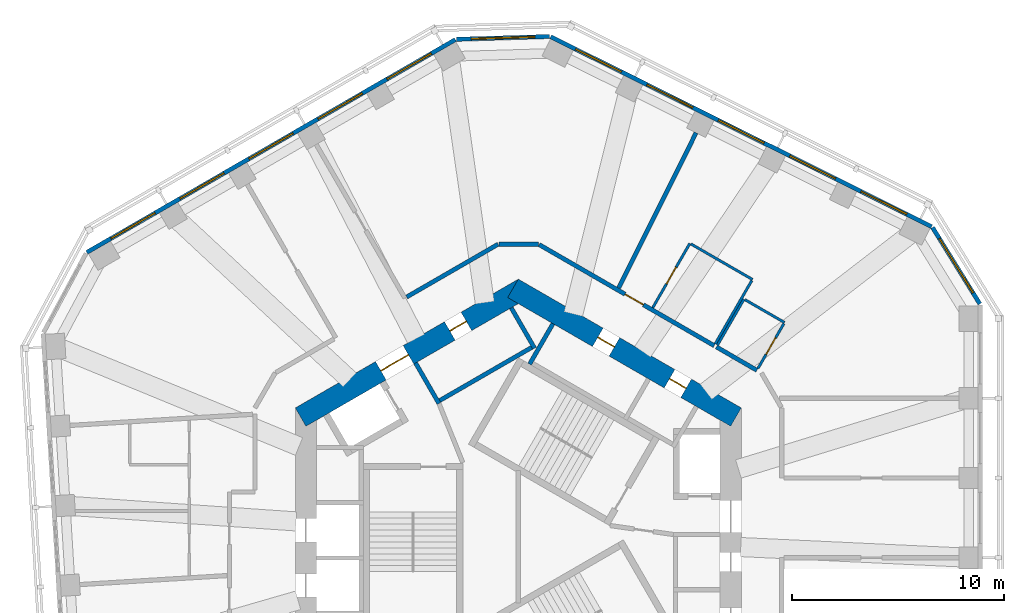
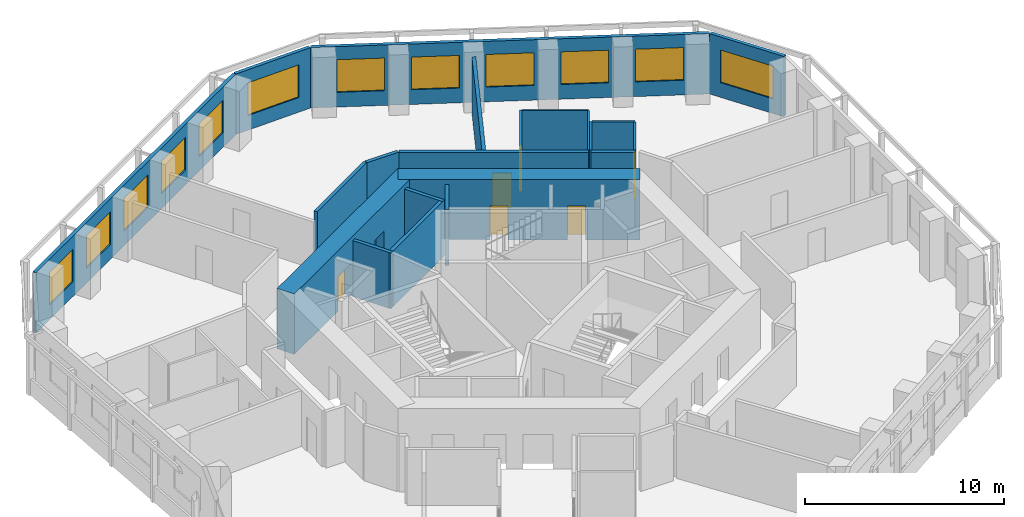
# One storey, part 7 of 10: 21 walls, 12 windows, 7 doors, 19 openings.
"""IFC4 building model written with IfcOpenShell, lengths in metres."""

from ifc_helpers import new_model, si_unit, direction, frame, frame_2d, origin, place, context, subcontext, project, spatial, rectangle, extrude, material, layer, layer_set, type_object, element, fill, save


model = new_model("IFC4")

# Units and contexts
model_context = context("Model", 3, precision=1e-05, world=origin(), true_north=direction((0.0, 1.0)))
body_context = subcontext(model_context, "Body", "Model", "MODEL_VIEW")
ifc_project = project(units=[si_unit("LENGTHUNIT", "METRE"), si_unit("AREAUNIT", "SQUARE_METRE"), si_unit("VOLUMEUNIT", "CUBIC_METRE"), si_unit("PLANEANGLEUNIT", "RADIAN"), si_unit("MASSUNIT", "GRAM", prefix="KILO")], contexts=[model_context])

# Site, building, storey
site_placement = place(None, origin())
site = spatial("IfcSite", under=ifc_project, at=site_placement, CompositionType="ELEMENT")
building_placement = place(site_placement, origin())
building = spatial("IfcBuilding", under=site, at=building_placement, Name="Vanh Sen Convention Tower", CompositionType="ELEMENT")
storey_placement = place(building_placement, frame((0.0, 0.0, 161.39990234375)))
storey = spatial("IfcBuildingStorey", under=building, at=storey_placement, Name="L39", CompositionType="ELEMENT", Elevation=161.39990234375)

# Wall, opening, door
ifc_material_1 = material(Name="Moisture-resistant gypsum board on steel studs", Category="steel")
ifc_layer_1 = layer(ifc_material_1, 0.1201171875)
ifc_layer_set_1 = layer_set([ifc_layer_1], Name="Moisture-resistant gypsum board on steel studs")
wall_type_1 = type_object("IfcWallType", Name="Bathroom partition 120", PredefinedType="PARTITIONING", material=ifc_layer_set_1)
wall_1_placement = place(storey_placement, frame((6.329833984375, 10.779296875, 0.0), z_axis=(0.0, 0.0, 1.0), x_axis=(0.500010275428, 0.866019471182, 0.0)))
wall_1 = element("IfcWall", 1, at=wall_1_placement, inside=storey, type_object=wall_type_1, Name="Bathroom partition 120", PredefinedType="PARTITIONING", context=body_context, shape_type="SweptSolid", body=[
    extrude(rectangle(XDim=3.5, YDim=0.1201171875, at=frame_2d((1.75, 0.0))), origin(), (0.0, 0.0, 1.0), 3.420166015625),
])
opening_1_placement = place(wall_1_placement, frame((1.300048828125, 0.0, 0.0)))
opening_1 = element("IfcOpeningElement", 2, at=opening_1_placement, cuts=wall_1, Name="Opening D38104", PredefinedType="OPENING", context=body_context, shape_type="SweptSolid", body=[
    extrude(rectangle(XDim=0.89990234375, YDim=2.10009765625, at=frame_2d((0.449951171875, 1.050048828125))), frame((0.0, 0.070068359375, 0.0), z_axis=(0.0, -1.0, 0.0), x_axis=(1.0, 0.0, 0.0)), (0.0, 0.0, 1.0), 0.14013671875),
])
ifc_material_2 = material(Name="Laminate door in steel frame", Category="steel")
door_type_1 = type_object("IfcDoorType", Name="Room internal door 900", OperationType="SINGLE_SWING_LEFT", PredefinedType="DOOR", material=ifc_material_2)
door_1_placement = place(opening_1_placement, origin())
door_1 = element("IfcDoor", 3, at=door_1_placement, inside=storey, type_object=door_type_1, Name="Internal room door D38104", OperationType="SINGLE_SWING_LEFT", OverallHeight=2.10009765625, OverallWidth=0.89990234375, PredefinedType="DOOR", context=body_context, shape_type="SweptSolid", body=[
    extrude(rectangle(XDim=0.89990234375, YDim=2.10009765625, at=frame_2d((0.449951171875, 1.050048828125))), frame((0.0, 0.02490234375, 0.0), z_axis=(0.0, -1.0, 0.0), x_axis=(1.0, 0.0, 0.0)), (0.0, 0.0, 1.0), 0.050048828125),
])
fill(opening_1, door_1)

# Walls
wall_2_placement = place(storey_placement, frame((8.1318359375, 13.7802734375, 0.0), z_axis=(0.0, 0.0, 1.0), x_axis=(0.866039519639, -0.499975549825, 0.0)))
element("IfcWall", 4, at=wall_2_placement, inside=storey, type_object=wall_type_1, Name="Bathroom partition 120", PredefinedType="PARTITIONING", context=body_context, shape_type="SweptSolid", body=[
    extrude(rectangle(XDim=3.340087890625, YDim=0.1201171875, at=frame_2d((1.669921875, 0.0))), origin(), (0.0, 0.0, 1.0), 3.420166015625),
])
wall_3_placement = place(storey_placement, frame((9.378173828125, 9.019287109375, 0.0), z_axis=(0.0, 0.0, 1.0), x_axis=(0.500004234368, 0.866022959057, 0.0)))
element("IfcWall", 5, at=wall_3_placement, inside=storey, type_object=wall_type_1, Name="Bathroom partition 120", PredefinedType="PARTITIONING", context=body_context, shape_type="SweptSolid", body=[
    extrude(rectangle(XDim=2.5, YDim=0.1201171875, at=frame_2d((1.25, 0.0))), origin(), (0.0, 0.0, 1.0), 3.420166015625),
])
wall_4_placement = place(storey_placement, frame((10.68017578125, 11.154296875, 0.0), z_axis=(0.0, 0.0, 1.0), x_axis=(0.86600889856, -0.500028586798, 0.0)))
element("IfcWall", 6, at=wall_4_placement, inside=storey, type_object=wall_type_1, Name="Bathroom partition 120", PredefinedType="PARTITIONING", context=body_context, shape_type="SweptSolid", body=[
    extrude(rectangle(XDim=2.139892578125, YDim=0.1201171875, at=frame_2d((1.06982421875, 0.0))), origin(), (0.0, 0.0, 1.0), 3.420166015625),
])
wall_5_placement = place(storey_placement, frame((10.994384765625, 12.058349609375, 0.0), z_axis=(0.0, 0.0, 1.0), x_axis=(-0.500009156386, -0.866020117278, 0.0)))
element("IfcWall", 7, at=wall_5_placement, inside=storey, type_object=wall_type_1, Name="Bathroom partition 120", PredefinedType="PARTITIONING", context=body_context, shape_type="SweptSolid", body=[
    extrude(rectangle(XDim=3.43994140625, YDim=0.1201171875, at=frame_2d((1.719970703125, 0.0))), origin(), (0.0, 0.0, 1.0), 3.420166015625),
])

# Wall, opening, door
wall_6_placement = place(storey_placement, frame((12.50341796875, 10.0322265625, 0.0), z_axis=(0.0, 0.0, 1.0), x_axis=(-0.500002508028, -0.866023955769, 0.0)))
wall_6 = element("IfcWall", 8, at=wall_6_placement, inside=storey, type_object=wall_type_1, Name="Bathroom partition 120", PredefinedType="PARTITIONING", context=body_context, shape_type="SweptSolid", body=[
    extrude(rectangle(XDim=2.43994140625, YDim=0.1201171875, at=frame_2d((1.219970703125, 0.0))), origin(), (0.0, 0.0, 1.0), 3.420166015625),
])
opening_2_placement = place(wall_6_placement, frame((0.77001953125, 0.0, 0.0)))
opening_2 = element("IfcOpeningElement", 9, at=opening_2_placement, cuts=wall_6, Name="Opening D38103", PredefinedType="OPENING", context=body_context, shape_type="SweptSolid", body=[
    extrude(rectangle(XDim=0.89990234375, YDim=2.10009765625, at=frame_2d((0.449951171875, 1.050048828125))), frame((0.0, 0.070068359375, 0.0), z_axis=(0.0, -1.0, 0.0), x_axis=(1.0, 0.0, 0.0)), (0.0, 0.0, 1.0), 0.14013671875),
])
door_2_placement = place(opening_2_placement, origin())
door_2 = element("IfcDoor", 10, at=door_2_placement, inside=storey, type_object=door_type_1, Name="Internal room door D38103", OperationType="SINGLE_SWING_LEFT", OverallHeight=2.10009765625, OverallWidth=0.89990234375, PredefinedType="DOOR", context=body_context, shape_type="SweptSolid", body=[
    extrude(rectangle(XDim=0.89990234375, YDim=2.10009765625, at=frame_2d((0.449951171875, 1.050048828125))), frame((0.0, 0.02490234375, 0.0), z_axis=(0.0, -1.0, 0.0), x_axis=(1.0, 0.0, 0.0)), (0.0, 0.0, 1.0), 0.050048828125),
])
fill(opening_2, door_2)

# Wall, openings, doors
ifc_material_3 = material(Name="Concrete C80/95", Category="concrete")
ifc_layer_2 = layer(ifc_material_3, 1.0)
ifc_layer_set_2 = layer_set([ifc_layer_2], Name="Concrete C80/95")
wall_type_2 = type_object("IfcWallType", Name="Core outer wall 1000 C80/95", PredefinedType="SHEAR", material=ifc_layer_set_2)
wall_7_placement = place(storey_placement, frame((10.25, 5.629150390625, 0.0), z_axis=(0.0, 0.0, 1.0), x_axis=(-0.866022616891, 0.50000482701, 0.0)))
wall_7 = element("IfcWall", 11, at=wall_7_placement, inside=storey, type_object=wall_type_2, Name="Core wall face NE L39", PredefinedType="SHEAR", context=body_context, shape_type="SweptSolid", body=[
    extrude(rectangle(XDim=12.12451171875, YDim=1.0, at=frame_2d((6.062255859375, 0.0))), origin(), (0.0, 0.0, 1.0), 3.7001953125),
])
opening_3_placement = place(wall_7_placement, frame((2.712158203125, 0.0, 0.0)))
opening_3 = element("IfcOpeningElement", 12, at=opening_3_placement, cuts=wall_7, Name="Opening D38011", PredefinedType="OPENING", context=body_context, shape_type="SweptSolid", body=[
    extrude(rectangle(XDim=0.89990234375, YDim=2.10009765625, at=frame_2d((0.449951171875, 1.050048828125))), frame((0.0, 0.510009765625, 0.0), z_axis=(0.0, -1.0, 0.0), x_axis=(1.0, 0.0, 0.0)), (0.0, 0.0, 1.0), 1.02001953125),
])
opening_4_placement = place(wall_7_placement, frame((6.6123046875, 0.0, 0.0)))
opening_4 = element("IfcOpeningElement", 13, at=opening_4_placement, cuts=wall_7, Name="Opening D38012", PredefinedType="OPENING", context=body_context, shape_type="SweptSolid", body=[
    extrude(rectangle(XDim=0.89990234375, YDim=2.10009765625, at=frame_2d((0.449951171875, 1.050048828125))), frame((0.0, 0.510009765625, 0.0), z_axis=(0.0, -1.0, 0.0), x_axis=(1.0, 0.0, 0.0)), (0.0, 0.0, 1.0), 1.02001953125),
])
ifc_material_4 = material(Name="Steel S355", Category="steel")
door_type_2 = type_object("IfcDoorType", Name="Plant door 900", OperationType="SINGLE_SWING_LEFT", PredefinedType="DOOR", material=ifc_material_4)
door_3_placement = place(opening_3_placement, origin())
door_3 = element("IfcDoor", 14, at=door_3_placement, inside=storey, type_object=door_type_2, Name="Plant door D38011", OperationType="SINGLE_SWING_LEFT", OverallHeight=2.10009765625, OverallWidth=0.89990234375, PredefinedType="DOOR", context=body_context, shape_type="SweptSolid", body=[
    extrude(rectangle(XDim=0.89990234375, YDim=2.10009765625, at=frame_2d((0.449951171875, 1.050048828125))), frame((0.0, 0.02490234375, 0.0), z_axis=(0.0, -1.0, 0.0), x_axis=(1.0, 0.0, 0.0)), (0.0, 0.0, 1.0), 0.050048828125),
])
fill(opening_3, door_3)
door_4_placement = place(opening_4_placement, origin())
door_4 = element("IfcDoor", 15, at=door_4_placement, inside=storey, type_object=door_type_2, Name="Plant door D38012", OperationType="SINGLE_SWING_LEFT", OverallHeight=2.10009765625, OverallWidth=0.89990234375, PredefinedType="DOOR", context=body_context, shape_type="SweptSolid", body=[
    extrude(rectangle(XDim=0.89990234375, YDim=2.10009765625, at=frame_2d((0.449951171875, 1.050048828125))), frame((0.0, 0.02490234375, 0.0), z_axis=(0.0, -1.0, 0.0), x_axis=(1.0, 0.0, 0.0)), (0.0, 0.0, 1.0), 0.050048828125),
])
fill(opening_4, door_4)

wall_8_placement = place(storey_placement, frame((0.25, 11.69140625, 0.0), z_axis=(0.0, 0.0, 1.0), x_axis=(-0.866022616891, -0.50000482701, 0.0)))
wall_8 = element("IfcWall", 16, at=wall_8_placement, inside=storey, type_object=wall_type_2, Name="Core wall face NW L39", PredefinedType="SHEAR", context=body_context, shape_type="SweptSolid", body=[
    extrude(rectangle(XDim=12.12451171875, YDim=1.0, at=frame_2d((6.062255859375, 0.0))), origin(), (0.0, 0.0, 1.0), 3.7001953125),
])
opening_5_placement = place(wall_8_placement, frame((6.26220703125, 0.0, 0.0)))
opening_5 = element("IfcOpeningElement", 17, at=opening_5_placement, cuts=wall_8, Name="Opening D38002", PredefinedType="OPENING", context=body_context, shape_type="SweptSolid", body=[
    extrude(rectangle(XDim=1.5, YDim=2.10009765625, at=frame_2d((0.75, 1.050048828125))), frame((0.0, 0.510009765625, 0.0), z_axis=(0.0, -1.0, 0.0), x_axis=(1.0, 0.0, 0.0)), (0.0, 0.0, 1.0), 1.02001953125),
])
opening_6_placement = place(wall_8_placement, frame((3.1123046875, 0.0, 0.0)))
opening_6 = element("IfcOpeningElement", 18, at=opening_6_placement, cuts=wall_8, Name="Opening D38013", PredefinedType="OPENING", context=body_context, shape_type="SweptSolid", body=[
    extrude(rectangle(XDim=0.89990234375, YDim=2.10009765625, at=frame_2d((0.449951171875, 1.050048828125))), frame((0.0, 0.510009765625, 0.0), z_axis=(0.0, -1.0, 0.0), x_axis=(1.0, 0.0, 0.0)), (0.0, 0.0, 1.0), 1.02001953125),
])
door_5_placement = place(opening_6_placement, origin())
door_5 = element("IfcDoor", 19, at=door_5_placement, inside=storey, type_object=door_type_2, Name="Plant door D38013", OperationType="SINGLE_SWING_LEFT", OverallHeight=2.10009765625, OverallWidth=0.89990234375, PredefinedType="DOOR", context=body_context, shape_type="SweptSolid", body=[
    extrude(rectangle(XDim=0.89990234375, YDim=2.10009765625, at=frame_2d((0.449951171875, 1.050048828125))), frame((0.0, 0.02490234375, 0.0), z_axis=(0.0, -1.0, 0.0), x_axis=(1.0, 0.0, 0.0)), (0.0, 0.0, 1.0), 0.050048828125),
])
fill(opening_6, door_5)
door_type_3 = type_object("IfcDoorType", Name="Stair lobby door 1500", OperationType="DOUBLE_DOOR_SINGLE_SWING", PredefinedType="DOOR", material=ifc_material_4)
door_6_placement = place(opening_5_placement, origin())
door_6 = element("IfcDoor", 20, at=door_6_placement, inside=storey, type_object=door_type_3, Name="Stair lobby door D38002", OperationType="DOUBLE_DOOR_SINGLE_SWING", OverallHeight=2.10009765625, OverallWidth=1.5, PredefinedType="DOOR", context=body_context, shape_type="SweptSolid", body=[
    extrude(rectangle(XDim=1.5, YDim=2.10009765625, at=frame_2d((0.75, 1.050048828125))), frame((0.0, 0.02490234375, 0.0), z_axis=(0.0, -1.0, 0.0), x_axis=(1.0, 0.0, 0.0)), (0.0, 0.0, 1.0), 0.050048828125),
])
fill(opening_5, door_6)

# Walls
ifc_material_5 = material(Name="Gypsum board on steel studs with mineral wool", Category="steel")
ifc_layer_3 = layer(ifc_material_5, 0.199951171875)
ifc_layer_set_3 = layer_set([ifc_layer_3], Name="Gypsum board on steel studs with mineral wool")
wall_type_3 = type_object("IfcWallType", Name="Corridor partition wall 200", PredefinedType="PARTITIONING", material=ifc_layer_set_3)
wall_9_placement = place(storey_placement, frame((-0.949951171875, 13.769775390625, 0.0), z_axis=(0.0, 0.0, 1.0), x_axis=(-0.866036689987, -0.499980451214, 0.0)))
element("IfcWall", 21, at=wall_9_placement, inside=storey, type_object=wall_type_3, Name="Corridor partition wall 200", PredefinedType="PARTITIONING", context=body_context, shape_type="SweptSolid", body=[
    extrude(rectangle(XDim=4.969482421875, YDim=0.199951171875, at=frame_2d((2.48486328125, 0.0))), origin(), (0.0, 0.0, 1.0), 3.420166015625),
])
wall_10_placement = place(storey_placement, frame((0.949951171875, 13.769775390625, 0.0), z_axis=(0.0, 0.0, 1.0), x_axis=(-1.0, 0.0, 0.0)))
element("IfcWall", 22, at=wall_10_placement, inside=storey, type_object=wall_type_3, Name="Corridor partition wall 200", PredefinedType="PARTITIONING", context=body_context, shape_type="SweptSolid", body=[
    extrude(rectangle(XDim=1.85986328125, YDim=0.199951171875, at=frame_2d((0.929931640625, 0.0))), origin(), (0.0, 0.0, 1.0), 3.420166015625),
])

# Wall, opening, door
wall_11_placement = place(storey_placement, frame((9.224365234375, 8.99267578125, 0.0), z_axis=(0.0, 0.0, 1.0), x_axis=(-0.866031754707, 0.499988999718, 0.0)))
wall_11 = element("IfcWall", 23, at=wall_11_placement, inside=storey, type_object=wall_type_3, Name="Corridor partition wall 200", PredefinedType="PARTITIONING", context=body_context, shape_type="SweptSolid", body=[
    extrude(rectangle(XDim=9.514404296875, YDim=0.199951171875, at=frame_2d((4.75732421875, 0.0))), origin(), (0.0, 0.0, 1.0), 3.420166015625),
])
opening_7_placement = place(wall_11_placement, frame((3.84765625, 0.0, 0.0)))
opening_7 = element("IfcOpeningElement", 24, at=opening_7_placement, cuts=wall_11, Name="Opening D38102", PredefinedType="OPENING", context=body_context, shape_type="SweptSolid", body=[
    extrude(rectangle(XDim=1.0, YDim=2.10009765625, at=frame_2d((0.5, 1.050048828125))), frame((0.0, 0.10986328125, 0.0), z_axis=(0.0, -1.0, 0.0), x_axis=(1.0, 0.0, 0.0)), (0.0, 0.0, 1.0), 0.219970703125),
])
ifc_material_6 = material(Name="Glazed fire door in steel frame", Category="steel")
door_type_4 = type_object("IfcDoorType", Name="Tenant entrance door 1000", OperationType="SINGLE_SWING_LEFT", PredefinedType="DOOR", material=ifc_material_6)
door_7_placement = place(opening_7_placement, origin())
door_7 = element("IfcDoor", 25, at=door_7_placement, inside=storey, type_object=door_type_4, Name="Tenant suite entrance door D38102", OperationType="SINGLE_SWING_LEFT", OverallHeight=2.10009765625, OverallWidth=1.0, PredefinedType="DOOR", context=body_context, shape_type="SweptSolid", body=[
    extrude(rectangle(XDim=1.0, YDim=2.10009765625, at=frame_2d((0.5, 1.050048828125))), frame((0.0, 0.02490234375, 0.0), z_axis=(0.0, -1.0, 0.0), x_axis=(1.0, 0.0, 0.0)), (0.0, 0.0, 1.0), 0.050048828125),
])
fill(opening_7, door_7)

# Wall
wall_12_placement = place(storey_placement, frame((11.2333984375, 7.83251953125, 0.0), z_axis=(0.0, 0.0, 1.0), x_axis=(-0.866008176907, 0.50002983664, 0.0)))
element("IfcWall", 26, at=wall_12_placement, inside=storey, type_object=wall_type_3, Name="Corridor partition wall 200", PredefinedType="PARTITIONING", context=body_context, shape_type="SweptSolid", body=[
    extrude(rectangle(XDim=2.199951171875, YDim=0.199951171875, at=frame_2d((1.10009765625, 0.0))), origin(), (0.0, 0.0, 1.0), 3.420166015625),
])

# Wall, opening, window
ifc_material_7 = material(Name="Insulated lightweight infill wall")
ifc_layer_4 = layer(ifc_material_7, 0.199951171875)
ifc_layer_set_4 = layer_set([ifc_layer_4], Name="Insulated lightweight infill wall")
wall_type_4 = type_object("IfcWallType", Name="External wall 200", PredefinedType="STANDARD", material=ifc_layer_set_4)
wall_13_placement = place(storey_placement, frame((21.735107421875, 10.9580078125, 0.0), z_axis=(0.0, 0.0, 1.0), x_axis=(-0.526213807775, 0.850352296702, 0.0)))
wall_13 = element("IfcWall", 27, at=wall_13_placement, inside=storey, type_object=wall_type_4, Name="External wall CH1 L39", PredefinedType="STANDARD", context=body_context, shape_type="SweptSolid", body=[
    extrude(rectangle(XDim=4.23828125, YDim=0.199951171875, at=frame_2d((2.119140625, 0.0))), origin(), (0.0, 0.0, 1.0), 3.7001953125),
])
opening_8_placement = place(wall_13_placement, frame((0.619140625, 0.0, 0.89990234375)))
opening_8 = element("IfcOpeningElement", 28, at=opening_8_placement, cuts=wall_13, Name="Opening WO2-CH11", PredefinedType="OPENING", context=body_context, shape_type="SweptSolid", body=[
    extrude(rectangle(XDim=3.0, YDim=2.0, at=frame_2d((1.5, 1.0))), frame((0.0, 0.10986328125, 0.0), z_axis=(0.0, -1.0, 0.0), x_axis=(1.0, 0.0, 0.0)), (0.0, 0.0, 1.0), 0.219970703125),
])
ifc_material_8 = material(Name="Aluminium frame with clear low-emissivity glass", Category="aluminium")
window_type_1 = type_object("IfcWindowType", Name="Office window 3000 x 2000", PartitioningType="SINGLE_PANEL", PredefinedType="WINDOW", material=ifc_material_8)
window_1_placement = place(opening_8_placement, origin())
window_1 = element("IfcWindow", 29, at=window_1_placement, inside=storey, type_object=window_type_1, Name="Window WO2-CH11", OverallHeight=2.0, OverallWidth=3.0, PartitioningType="SINGLE_PANEL", PredefinedType="WINDOW", context=body_context, shape_type="SweptSolid", body=[
    extrude(rectangle(XDim=3.0, YDim=2.0, at=frame_2d((1.5, 1.0))), frame((0.0, 0.030029296875, 0.0), z_axis=(0.0, -1.0, 0.0), x_axis=(1.0, 0.0, 0.0)), (0.0, 0.0, 1.0), 0.06005859375),
])
fill(opening_8, window_1)

# Wall, openings, windows
wall_14_placement = place(storey_placement, frame((19.46435546875, 14.598876953125, 0.0), z_axis=(0.0, 0.0, 1.0), x_axis=(-0.894935755043, 0.446195018289, 0.0)))
wall_14 = element("IfcWall", 30, at=wall_14_placement, inside=storey, type_object=wall_type_4, Name="External wall NE L39", PredefinedType="STANDARD", context=body_context, shape_type="SweptSolid", body=[
    extrude(rectangle(XDim=20.043701171875, YDim=0.199951171875, at=frame_2d((10.02197265625, 0.0))), origin(), (0.0, 0.0, 1.0), 3.7001953125),
])
opening_9_placement = place(wall_14_placement, frame((1.31298828125, 0.0, 0.89990234375)))
opening_9 = element("IfcOpeningElement", 31, at=opening_9_placement, cuts=wall_14, Name="Opening WO1-NE1", PredefinedType="OPENING", context=body_context, shape_type="SweptSolid", body=[
    extrude(rectangle(XDim=2.39990234375, YDim=2.0, at=frame_2d((1.199951171875, 1.0))), frame((0.0, 0.10986328125, 0.0), z_axis=(0.0, -1.0, 0.0), x_axis=(1.0, 0.0, 0.0)), (0.0, 0.0, 1.0), 0.219970703125),
])
opening_10_placement = place(wall_14_placement, frame((5.06689453125, 0.0, 0.89990234375)))
opening_10 = element("IfcOpeningElement", 32, at=opening_10_placement, cuts=wall_14, Name="Opening WO1-NE2", PredefinedType="OPENING", context=body_context, shape_type="SweptSolid", body=[
    extrude(rectangle(XDim=2.39990234375, YDim=2.0, at=frame_2d((1.199951171875, 1.0))), frame((0.0, 0.10986328125, 0.0), z_axis=(0.0, -1.0, 0.0), x_axis=(1.0, 0.0, 0.0)), (0.0, 0.0, 1.0), 0.219970703125),
])
opening_11_placement = place(wall_14_placement, frame((8.821044921875, 0.0, 0.89990234375)))
opening_11 = element("IfcOpeningElement", 33, at=opening_11_placement, cuts=wall_14, Name="Opening WO1-NE3", PredefinedType="OPENING", context=body_context, shape_type="SweptSolid", body=[
    extrude(rectangle(XDim=2.39990234375, YDim=2.0, at=frame_2d((1.199951171875, 1.0))), frame((0.0, 0.10986328125, 0.0), z_axis=(0.0, -1.0, 0.0), x_axis=(1.0, 0.0, 0.0)), (0.0, 0.0, 1.0), 0.219970703125),
])
opening_12_placement = place(wall_14_placement, frame((12.5751953125, 0.0, 0.89990234375)))
opening_12 = element("IfcOpeningElement", 34, at=opening_12_placement, cuts=wall_14, Name="Opening WO1-NE4", PredefinedType="OPENING", context=body_context, shape_type="SweptSolid", body=[
    extrude(rectangle(XDim=2.39990234375, YDim=2.0, at=frame_2d((1.199951171875, 1.0))), frame((0.0, 0.10986328125, 0.0), z_axis=(0.0, -1.0, 0.0), x_axis=(1.0, 0.0, 0.0)), (0.0, 0.0, 1.0), 0.219970703125),
])
opening_13_placement = place(wall_14_placement, frame((16.329345703125, 0.0, 0.89990234375)))
opening_13 = element("IfcOpeningElement", 35, at=opening_13_placement, cuts=wall_14, Name="Opening WO1-NE5", PredefinedType="OPENING", context=body_context, shape_type="SweptSolid", body=[
    extrude(rectangle(XDim=2.39990234375, YDim=2.0, at=frame_2d((1.199951171875, 1.0))), frame((0.0, 0.10986328125, 0.0), z_axis=(0.0, -1.0, 0.0), x_axis=(1.0, 0.0, 0.0)), (0.0, 0.0, 1.0), 0.219970703125),
])
window_type_2 = type_object("IfcWindowType", Name="Office window 2400 x 2000", PartitioningType="SINGLE_PANEL", PredefinedType="WINDOW", material=ifc_material_8)
window_2_placement = place(opening_9_placement, origin())
window_2 = element("IfcWindow", 36, at=window_2_placement, inside=storey, type_object=window_type_2, Name="Window WO1-NE1", OverallHeight=2.0, OverallWidth=2.39990234375, PartitioningType="SINGLE_PANEL", PredefinedType="WINDOW", context=body_context, shape_type="SweptSolid", body=[
    extrude(rectangle(XDim=2.39990234375, YDim=2.0, at=frame_2d((1.199951171875, 1.0))), frame((0.0, 0.030029296875, 0.0), z_axis=(0.0, -1.0, 0.0), x_axis=(1.0, 0.0, 0.0)), (0.0, 0.0, 1.0), 0.06005859375),
])
fill(opening_9, window_2)
window_3_placement = place(opening_10_placement, origin())
window_3 = element("IfcWindow", 37, at=window_3_placement, inside=storey, type_object=window_type_2, Name="Window WO1-NE2", OverallHeight=2.0, OverallWidth=2.39990234375, PartitioningType="SINGLE_PANEL", PredefinedType="WINDOW", context=body_context, shape_type="SweptSolid", body=[
    extrude(rectangle(XDim=2.39990234375, YDim=2.0, at=frame_2d((1.199951171875, 1.0))), frame((0.0, 0.030029296875, 0.0), z_axis=(0.0, -1.0, 0.0), x_axis=(1.0, 0.0, 0.0)), (0.0, 0.0, 1.0), 0.06005859375),
])
fill(opening_10, window_3)
window_4_placement = place(opening_11_placement, origin())
window_4 = element("IfcWindow", 38, at=window_4_placement, inside=storey, type_object=window_type_2, Name="Window WO1-NE3", OverallHeight=2.0, OverallWidth=2.39990234375, PartitioningType="SINGLE_PANEL", PredefinedType="WINDOW", context=body_context, shape_type="SweptSolid", body=[
    extrude(rectangle(XDim=2.39990234375, YDim=2.0, at=frame_2d((1.199951171875, 1.0))), frame((0.0, 0.030029296875, 0.0), z_axis=(0.0, -1.0, 0.0), x_axis=(1.0, 0.0, 0.0)), (0.0, 0.0, 1.0), 0.06005859375),
])
fill(opening_11, window_4)
window_5_placement = place(opening_12_placement, origin())
window_5 = element("IfcWindow", 39, at=window_5_placement, inside=storey, type_object=window_type_2, Name="Window WO1-NE4", OverallHeight=2.0, OverallWidth=2.39990234375, PartitioningType="SINGLE_PANEL", PredefinedType="WINDOW", context=body_context, shape_type="SweptSolid", body=[
    extrude(rectangle(XDim=2.39990234375, YDim=2.0, at=frame_2d((1.199951171875, 1.0))), frame((0.0, 0.030029296875, 0.0), z_axis=(0.0, -1.0, 0.0), x_axis=(1.0, 0.0, 0.0)), (0.0, 0.0, 1.0), 0.06005859375),
])
fill(opening_12, window_5)
window_6_placement = place(opening_13_placement, origin())
window_6 = element("IfcWindow", 40, at=window_6_placement, inside=storey, type_object=window_type_2, Name="Window WO1-NE5", OverallHeight=2.0, OverallWidth=2.39990234375, PartitioningType="SINGLE_PANEL", PredefinedType="WINDOW", context=body_context, shape_type="SweptSolid", body=[
    extrude(rectangle(XDim=2.39990234375, YDim=2.0, at=frame_2d((1.199951171875, 1.0))), frame((0.0, 0.030029296875, 0.0), z_axis=(0.0, -1.0, 0.0), x_axis=(1.0, 0.0, 0.0)), (0.0, 0.0, 1.0), 0.06005859375),
])
fill(opening_13, window_6)

# Wall, opening, window
wall_15_placement = place(storey_placement, frame((1.478759765625, 23.552734375, 0.0), z_axis=(0.0, 0.0, 1.0), x_axis=(-0.999534786117, -0.03049936625, 0.0)))
wall_15 = element("IfcWall", 41, at=wall_15_placement, inside=storey, type_object=wall_type_4, Name="External wall CH2 L39", PredefinedType="STANDARD", context=body_context, shape_type="SweptSolid", body=[
    extrude(rectangle(XDim=4.39453125, YDim=0.199951171875, at=frame_2d((2.197265625, 0.0))), origin(), (0.0, 0.0, 1.0), 3.7001953125),
])
opening_14_placement = place(wall_15_placement, frame((0.697509765625, 0.0, 0.89990234375)))
opening_14 = element("IfcOpeningElement", 42, at=opening_14_placement, cuts=wall_15, Name="Opening WO2-CH21", PredefinedType="OPENING", context=body_context, shape_type="SweptSolid", body=[
    extrude(rectangle(XDim=3.0, YDim=2.0, at=frame_2d((1.5, 1.0))), frame((0.0, 0.10986328125, 0.0), z_axis=(0.0, -1.0, 0.0), x_axis=(1.0, 0.0, 0.0)), (0.0, 0.0, 1.0), 0.219970703125),
])
window_7_placement = place(opening_14_placement, origin())
window_7 = element("IfcWindow", 43, at=window_7_placement, inside=storey, type_object=window_type_1, Name="Window WO2-CH21", OverallHeight=2.0, OverallWidth=3.0, PartitioningType="SINGLE_PANEL", PredefinedType="WINDOW", context=body_context, shape_type="SweptSolid", body=[
    extrude(rectangle(XDim=3.0, YDim=2.0, at=frame_2d((1.5, 1.0))), frame((0.0, 0.030029296875, 0.0), z_axis=(0.0, -1.0, 0.0), x_axis=(1.0, 0.0, 0.0)), (0.0, 0.0, 1.0), 0.06005859375),
])
fill(opening_14, window_7)

# Wall, openings, windows
wall_16_placement = place(storey_placement, frame((-2.9609375, 23.4052734375, 0.0), z_axis=(0.0, 0.0, 1.0), x_axis=(-0.866023315909, -0.500003616288, 0.0)))
wall_16 = element("IfcWall", 44, at=wall_16_placement, inside=storey, type_object=wall_type_4, Name="External wall NW L39", PredefinedType="STANDARD", context=body_context, shape_type="SweptSolid", body=[
    extrude(rectangle(XDim=20.043701171875, YDim=0.199951171875, at=frame_2d((10.02197265625, 0.0))), origin(), (0.0, 0.0, 1.0), 3.7001953125),
])
opening_15_placement = place(wall_16_placement, frame((1.314453125, 0.0, 0.89990234375)))
opening_15 = element("IfcOpeningElement", 45, at=opening_15_placement, cuts=wall_16, Name="Opening WO1-NW1", PredefinedType="OPENING", context=body_context, shape_type="SweptSolid", body=[
    extrude(rectangle(XDim=2.39990234375, YDim=2.0, at=frame_2d((1.199951171875, 1.0))), frame((0.0, 0.10986328125, 0.0), z_axis=(0.0, -1.0, 0.0), x_axis=(1.0, 0.0, 0.0)), (0.0, 0.0, 1.0), 0.219970703125),
])
opening_16_placement = place(wall_16_placement, frame((5.068603515625, 0.0, 0.89990234375)))
opening_16 = element("IfcOpeningElement", 46, at=opening_16_placement, cuts=wall_16, Name="Opening WO1-NW2", PredefinedType="OPENING", context=body_context, shape_type="SweptSolid", body=[
    extrude(rectangle(XDim=2.39990234375, YDim=2.0, at=frame_2d((1.199951171875, 1.0))), frame((0.0, 0.10986328125, 0.0), z_axis=(0.0, -1.0, 0.0), x_axis=(1.0, 0.0, 0.0)), (0.0, 0.0, 1.0), 0.219970703125),
])
opening_17_placement = place(wall_16_placement, frame((8.82275390625, 0.0, 0.89990234375)))
opening_17 = element("IfcOpeningElement", 47, at=opening_17_placement, cuts=wall_16, Name="Opening WO1-NW3", PredefinedType="OPENING", context=body_context, shape_type="SweptSolid", body=[
    extrude(rectangle(XDim=2.39990234375, YDim=2.0, at=frame_2d((1.199951171875, 1.0))), frame((0.0, 0.10986328125, 0.0), z_axis=(0.0, -1.0, 0.0), x_axis=(1.0, 0.0, 0.0)), (0.0, 0.0, 1.0), 0.219970703125),
])
opening_18_placement = place(wall_16_placement, frame((12.576904296875, 0.0, 0.89990234375)))
opening_18 = element("IfcOpeningElement", 48, at=opening_18_placement, cuts=wall_16, Name="Opening WO1-NW4", PredefinedType="OPENING", context=body_context, shape_type="SweptSolid", body=[
    extrude(rectangle(XDim=2.39990234375, YDim=2.0, at=frame_2d((1.199951171875, 1.0))), frame((0.0, 0.10986328125, 0.0), z_axis=(0.0, -1.0, 0.0), x_axis=(1.0, 0.0, 0.0)), (0.0, 0.0, 1.0), 0.219970703125),
])
opening_19_placement = place(wall_16_placement, frame((16.330810546875, 0.0, 0.89990234375)))
opening_19 = element("IfcOpeningElement", 49, at=opening_19_placement, cuts=wall_16, Name="Opening WO1-NW5", PredefinedType="OPENING", context=body_context, shape_type="SweptSolid", body=[
    extrude(rectangle(XDim=2.39990234375, YDim=2.0, at=frame_2d((1.199951171875, 1.0))), frame((0.0, 0.10986328125, 0.0), z_axis=(0.0, -1.0, 0.0), x_axis=(1.0, 0.0, 0.0)), (0.0, 0.0, 1.0), 0.219970703125),
])
window_8_placement = place(opening_15_placement, origin())
window_8 = element("IfcWindow", 50, at=window_8_placement, inside=storey, type_object=window_type_2, Name="Window WO1-NW1", OverallHeight=2.0, OverallWidth=2.39990234375, PartitioningType="SINGLE_PANEL", PredefinedType="WINDOW", context=body_context, shape_type="SweptSolid", body=[
    extrude(rectangle(XDim=2.39990234375, YDim=2.0, at=frame_2d((1.199951171875, 1.0))), frame((0.0, 0.030029296875, 0.0), z_axis=(0.0, -1.0, 0.0), x_axis=(1.0, 0.0, 0.0)), (0.0, 0.0, 1.0), 0.06005859375),
])
fill(opening_15, window_8)
window_9_placement = place(opening_16_placement, origin())
window_9 = element("IfcWindow", 51, at=window_9_placement, inside=storey, type_object=window_type_2, Name="Window WO1-NW2", OverallHeight=2.0, OverallWidth=2.39990234375, PartitioningType="SINGLE_PANEL", PredefinedType="WINDOW", context=body_context, shape_type="SweptSolid", body=[
    extrude(rectangle(XDim=2.39990234375, YDim=2.0, at=frame_2d((1.199951171875, 1.0))), frame((0.0, 0.030029296875, 0.0), z_axis=(0.0, -1.0, 0.0), x_axis=(1.0, 0.0, 0.0)), (0.0, 0.0, 1.0), 0.06005859375),
])
fill(opening_16, window_9)
window_10_placement = place(opening_17_placement, origin())
window_10 = element("IfcWindow", 52, at=window_10_placement, inside=storey, type_object=window_type_2, Name="Window WO1-NW3", OverallHeight=2.0, OverallWidth=2.39990234375, PartitioningType="SINGLE_PANEL", PredefinedType="WINDOW", context=body_context, shape_type="SweptSolid", body=[
    extrude(rectangle(XDim=2.39990234375, YDim=2.0, at=frame_2d((1.199951171875, 1.0))), frame((0.0, 0.030029296875, 0.0), z_axis=(0.0, -1.0, 0.0), x_axis=(1.0, 0.0, 0.0)), (0.0, 0.0, 1.0), 0.06005859375),
])
fill(opening_17, window_10)
window_11_placement = place(opening_18_placement, origin())
window_11 = element("IfcWindow", 53, at=window_11_placement, inside=storey, type_object=window_type_2, Name="Window WO1-NW4", OverallHeight=2.0, OverallWidth=2.39990234375, PartitioningType="SINGLE_PANEL", PredefinedType="WINDOW", context=body_context, shape_type="SweptSolid", body=[
    extrude(rectangle(XDim=2.39990234375, YDim=2.0, at=frame_2d((1.199951171875, 1.0))), frame((0.0, 0.030029296875, 0.0), z_axis=(0.0, -1.0, 0.0), x_axis=(1.0, 0.0, 0.0)), (0.0, 0.0, 1.0), 0.06005859375),
])
fill(opening_18, window_11)
window_12_placement = place(opening_19_placement, origin())
window_12 = element("IfcWindow", 54, at=window_12_placement, inside=storey, type_object=window_type_2, Name="Window WO1-NW5", OverallHeight=2.0, OverallWidth=2.39990234375, PartitioningType="SINGLE_PANEL", PredefinedType="WINDOW", context=body_context, shape_type="SweptSolid", body=[
    extrude(rectangle(XDim=2.39990234375, YDim=2.0, at=frame_2d((1.199951171875, 1.0))), frame((0.0, 0.030029296875, 0.0), z_axis=(0.0, -1.0, 0.0), x_axis=(1.0, 0.0, 0.0)), (0.0, 0.0, 1.0), 0.06005859375),
])
fill(opening_19, window_12)

# Walls
ifc_material_9 = material(Name="Concrete C40/50", Category="concrete")
ifc_layer_5 = layer(ifc_material_9, 0.199951171875)
ifc_layer_set_5 = layer_set([ifc_layer_5], Name="Concrete C40/50")
wall_type_5 = type_object("IfcWallType", Name="Lift shaft wall 200", PredefinedType="PARTITIONING", material=ifc_layer_set_5)
wall_17_placement = place(storey_placement, frame((0.5322265625, 8.1220703125, 0.0), z_axis=(0.0, 0.0, 1.0), x_axis=(0.500077893725, 0.86598042715, 0.0)))
element("IfcWall", 55, at=wall_17_placement, inside=storey, type_object=wall_type_5, Name="Lift shaft wall L39", PredefinedType="PARTITIONING", context=body_context, shape_type="SweptSolid", body=[
    extrude(rectangle(XDim=2.199951171875, YDim=0.199951171875, at=frame_2d((1.10009765625, 0.0))), origin(), (0.0, 0.0, 1.0), 3.420166015625),
])
wall_18_placement = place(storey_placement, frame((0.80322265625, 9.008544921875, 0.0), z_axis=(0.0, 0.0, 1.0), x_axis=(-0.866028230842, -0.499995103361, 0.0)))
element("IfcWall", 56, at=wall_18_placement, inside=storey, type_object=wall_type_5, Name="Lift shaft wall L39", PredefinedType="PARTITIONING", context=body_context, shape_type="SweptSolid", body=[
    extrude(rectangle(XDim=5.39990234375, YDim=0.199951171875, at=frame_2d((2.699951171875, 0.0))), origin(), (0.0, 0.0, 1.0), 3.420166015625),
])
wall_19_placement = place(storey_placement, frame((0.7666015625, 8.8720703125, 0.0), z_axis=(0.0, 0.0, 1.0), x_axis=(-0.499994660107, 0.866028486751, 0.0)))
element("IfcWall", 57, at=wall_19_placement, inside=storey, type_object=wall_type_5, Name="Lift shaft wall L39", PredefinedType="PARTITIONING", context=body_context, shape_type="SweptSolid", body=[
    extrude(rectangle(XDim=2.19970703125, YDim=0.199951171875, at=frame_2d((1.099853515625, 0.0))), origin(), (0.0, 0.0, 1.0), 3.420166015625),
])
wall_20_placement = place(storey_placement, frame((-3.736572265625, 6.27197265625, 0.0), z_axis=(0.0, 0.0, 1.0), x_axis=(-0.50002983664, 0.866008176907, 0.0)))
element("IfcWall", 58, at=wall_20_placement, inside=storey, type_object=wall_type_5, Name="Lift shaft wall L39", PredefinedType="PARTITIONING", context=body_context, shape_type="SweptSolid", body=[
    extrude(rectangle(XDim=2.199951171875, YDim=0.199951171875, at=frame_2d((1.10009765625, 0.0))), origin(), (0.0, 0.0, 1.0), 3.420166015625),
])
ifc_layer_6 = layer(ifc_material_5, 0.199951171875)
ifc_layer_set_6 = layer_set([ifc_layer_6], Name="Gypsum board on steel studs with mineral wool")
wall_type_6 = type_object("IfcWallType", Name="Tenant suite wall 200", PredefinedType="PARTITIONING", material=ifc_layer_set_6)
wall_21_placement = place(storey_placement, frame((8.3701171875, 19.012939453125, 0.0), z_axis=(0.0, 0.0, 1.0), x_axis=(-0.446183598632, -0.894941448538, 0.0)))
element("IfcWall", 59, at=wall_21_placement, inside=storey, type_object=wall_type_6, Name="Tenant suite wall 200", PredefinedType="PARTITIONING", context=body_context, shape_type="SweptSolid", body=[
    extrude(rectangle(XDim=8.15625, YDim=0.199951171875, at=frame_2d((4.078125, 0.0))), origin(), (0.0, 0.0, 1.0), 3.420166015625),
])

save(model, "model.ifc")
